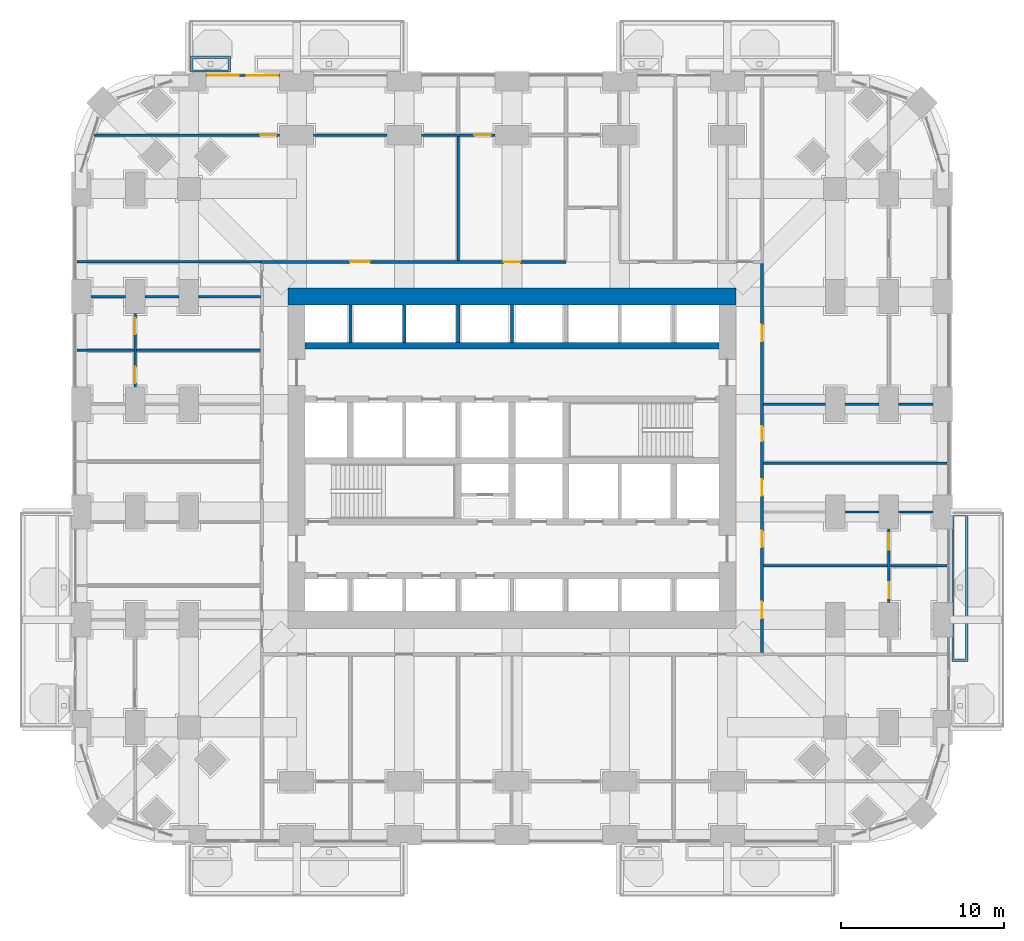
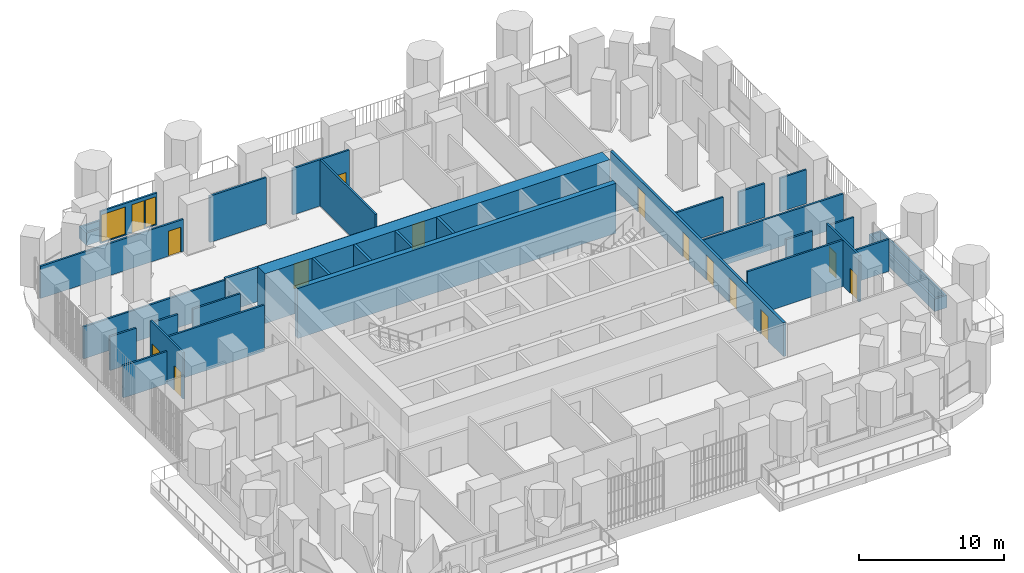
# One storey, part 21 of 27: 31 walls, 14 doors, 2 windows, 16 openings.
"""IFC4 building model written with IfcOpenShell, lengths in metres."""

from ifc_helpers import new_model, si_unit, direction, frame, frame_2d, origin, place, context, subcontext, project, spatial, polyline, rectangle, outline, extrude, material, layer, layer_set, type_object, element, fill, save


model = new_model("IFC4")

# Units and contexts
model_context = context("Model", 3, precision=1e-05, world=origin(), true_north=direction((0.0, 1.0)))
body_context = subcontext(model_context, "Body", "Model", "MODEL_VIEW")
ifc_project = project(units=[si_unit("LENGTHUNIT", "METRE"), si_unit("AREAUNIT", "SQUARE_METRE"), si_unit("VOLUMEUNIT", "CUBIC_METRE"), si_unit("PLANEANGLEUNIT", "RADIAN"), si_unit("MASSUNIT", "GRAM", prefix="KILO")], contexts=[model_context])

# Site, building, storey
site_placement = place(None, origin())
site = spatial("IfcSite", under=ifc_project, at=site_placement, CompositionType="ELEMENT")
building_placement = place(site_placement, origin())
building = spatial("IfcBuilding", under=site, at=building_placement, Name="Cobogo Forest Laboratory Tower", CompositionType="ELEMENT")
storey_placement = place(building_placement, frame((0.0, 0.0, 38.10009765625)))
storey = spatial("IfcBuildingStorey", under=building, at=storey_placement, Name="L08", CompositionType="ELEMENT", Elevation=38.10009765625)

# Walls
ifc_material_1 = material(Name="Concrete HA-50 (C50/60)", Category="concrete")
ifc_layer_1 = layer(ifc_material_1, 0.39990234375)
ifc_layer_set_1 = layer_set([ifc_layer_1], Name="CI400 core inner wall 400")
wall_type_1 = type_object("IfcWallType", Name="CI400 core inner wall 400", PredefinedType="SHEAR", material=ifc_layer_set_1)
wall_1_placement = place(storey_placement, frame((13.72509765625, 30.0, 0.0), z_axis=(0.0, 0.0, 1.0), x_axis=(1.0, 0.0, 0.0)))
element("IfcWall", 1, at=wall_1_placement, inside=storey, type_object=wall_type_1, Name="Core wall CI-30.0 L08", PredefinedType="SHEAR", context=body_context, shape_type="SweptSolid", body=[
    extrude(rectangle(XDim=25.349853515625, YDim=0.39990234375, at=frame_2d((12.6748046875, 0.0))), origin(), (0.0, 0.0, 1.0), 4.199951171875),
])
ifc_layer_2 = layer(ifc_material_1, 1.050048828125)
ifc_layer_set_2 = layer_set([ifc_layer_2], Name="CW1050 core outer wall 1050")
wall_type_2 = type_object("IfcWallType", Name="CW1050 core outer wall 1050", PredefinedType="SHEAR", material=ifc_layer_set_2)
wall_2_placement = place(storey_placement, frame((40.125, 33.0, 0.0), z_axis=(0.0, 0.0, 1.0), x_axis=(-1.0, 0.0, 0.0)))
element("IfcWall", 2, at=wall_2_placement, inside=storey, type_object=wall_type_2, Name="Core wall CO-N L08", PredefinedType="SHEAR", context=body_context, shape_type="SweptSolid", body=[
    extrude(rectangle(XDim=27.449951171875, YDim=1.050048828125, at=frame_2d((13.72509765625, 0.0))), origin(), (0.0, 0.0, 1.0), 4.199951171875),
])

# Wall, openings, door, windows
ifc_material_2 = material(Name="Aluminium framed glazed screen", Category="aluminium")
ifc_layer_3 = layer(ifc_material_2, 0.14990234375)
ifc_layer_set_3 = layer_set([ifc_layer_3], Name="GS1 glazed door screen 150")
wall_type_3 = type_object("IfcWallType", Name="GS1 glazed door screen 150", PredefinedType="SOLIDWALL", material=ifc_layer_set_3)
wall_3_placement = place(storey_placement, frame((12.14990234375, 46.550048828125, 0.0), z_axis=(0.0, 0.0, 1.0), x_axis=(-1.0, 0.0, 0.0)))
wall_3 = element("IfcWall", 3, at=wall_3_placement, inside=storey, type_object=wall_type_3, Name="Door screen BAL-N1 L08", PredefinedType="SOLIDWALL", context=body_context, shape_type="SweptSolid", body=[
    extrude(rectangle(XDim=4.5, YDim=0.14990234375, at=frame_2d((2.25, 0.0))), origin(), (0.0, 0.0, 1.0), 2.699951171875),
])
opening_1_placement = place(wall_3_placement, frame((1.0, 0.0, 0.0)))
opening_1 = element("IfcOpeningElement", 4, at=opening_1_placement, cuts=wall_3, Name="Opening L08-D52", PredefinedType="OPENING", context=body_context, shape_type="SweptSolid", body=[
    extrude(rectangle(XDim=1.0, YDim=2.39990234375, at=frame_2d((0.5, 1.199951171875))), frame((0.0, 0.0849609375, 0.0), z_axis=(0.0, -1.0, 0.0), x_axis=(1.0, 0.0, 0.0)), (0.0, 0.0, 1.0), 0.169921875),
])
opening_2_placement = place(wall_3_placement, frame((0.10009765625, 0.0, 0.10009765625)))
opening_2 = element("IfcOpeningElement", 5, at=opening_2_placement, cuts=wall_3, Name="Opening L08-W10", PredefinedType="OPENING", context=body_context, shape_type="SweptSolid", body=[
    extrude(rectangle(XDim=0.800048828125, YDim=2.300048828125, at=frame_2d((0.39990234375, 1.14990234375))), frame((0.0, 0.0849609375, 0.0), z_axis=(0.0, -1.0, 0.0), x_axis=(1.0, 0.0, 0.0)), (0.0, 0.0, 1.0), 0.169921875),
])
opening_3_placement = place(wall_3_placement, frame((2.5, 0.0, 0.10009765625)))
opening_3 = element("IfcOpeningElement", 6, at=opening_3_placement, cuts=wall_3, Name="Opening L08-W09", PredefinedType="OPENING", context=body_context, shape_type="SweptSolid", body=[
    extrude(rectangle(XDim=1.89990234375, YDim=2.300048828125, at=frame_2d((0.949951171875, 1.14990234375))), frame((0.0, 0.0849609375, 0.0), z_axis=(0.0, -1.0, 0.0), x_axis=(1.0, 0.0, 0.0)), (0.0, 0.0, 1.0), 0.169921875),
])
ifc_material_3 = material(Name="Aluminium glazed door", Category="aluminium")
door_type_1 = type_object("IfcDoorType", Name="DB1 balcony door 1000 glazed", OperationType="SINGLE_SWING_LEFT", PredefinedType="DOOR", material=ifc_material_3)
door_1_placement = place(opening_1_placement, origin())
door_1 = element("IfcDoor", 7, at=door_1_placement, inside=storey, type_object=door_type_1, Name="Door L08-BAL-N1", OperationType="SINGLE_SWING_LEFT", OverallHeight=2.39990234375, OverallWidth=1.0, PredefinedType="DOOR", context=body_context, shape_type="SweptSolid", body=[
    extrude(rectangle(XDim=1.0, YDim=2.39990234375, at=frame_2d((0.5, 1.199951171875))), frame((0.0, 0.02490234375, 0.0), z_axis=(0.0, -1.0, 0.0), x_axis=(1.0, 0.0, 0.0)), (0.0, 0.0, 1.0), 0.050048828125),
])
fill(opening_1, door_1)
ifc_material_4 = material(Name="Aluminium framed glazing", Category="aluminium")
window_type_1 = type_object("IfcWindowType", Name="WG3 fixed glazed light 1900x2300", PartitioningType="SINGLE_PANEL", PredefinedType="WINDOW", material=ifc_material_4)
window_1_placement = place(opening_3_placement, origin())
window_1 = element("IfcWindow", 8, at=window_1_placement, inside=storey, type_object=window_type_1, Name="Window L08-BAL-N1-2", OverallHeight=2.300048828125, OverallWidth=1.89990234375, PartitioningType="SINGLE_PANEL", PredefinedType="WINDOW", context=body_context, shape_type="SweptSolid", body=[
    extrude(rectangle(XDim=1.89990234375, YDim=2.300048828125, at=frame_2d((0.949951171875, 1.14990234375))), frame((0.0, 0.030029296875, 0.0), z_axis=(0.0, -1.0, 0.0), x_axis=(1.0, 0.0, 0.0)), (0.0, 0.0, 1.0), 0.06005859375),
])
fill(opening_3, window_1)
window_type_2 = type_object("IfcWindowType", Name="WG4 fixed glazed light 800x2300", PartitioningType="SINGLE_PANEL", PredefinedType="WINDOW", material=ifc_material_4)
window_2_placement = place(opening_2_placement, origin())
window_2 = element("IfcWindow", 9, at=window_2_placement, inside=storey, type_object=window_type_2, Name="Window L08-BAL-N1-1", OverallHeight=2.300048828125, OverallWidth=0.800048828125, PartitioningType="SINGLE_PANEL", PredefinedType="WINDOW", context=body_context, shape_type="SweptSolid", body=[
    extrude(rectangle(XDim=0.800048828125, YDim=2.300048828125, at=frame_2d((0.39990234375, 1.14990234375))), frame((0.0, 0.030029296875, 0.0), z_axis=(0.0, -1.0, 0.0), x_axis=(1.0, 0.0, 0.0)), (0.0, 0.0, 1.0), 0.06005859375),
])
fill(opening_2, window_2)

# Wall
ifc_material_5 = material(Name="Gypsum board on steel studs", Category="steel")
ifc_layer_4 = layer(ifc_material_5, 0.14990234375)
ifc_layer_set_4 = layer_set([ifc_layer_4], Name="PT1 laboratory partition 150")
wall_type_4 = type_object("IfcWallType", Name="PT1 laboratory partition 150", PredefinedType="PARTITIONING", material=ifc_layer_set_4)
wall_4_placement = place(storey_placement, frame((-0.27001953125, 35.125, 0.0), z_axis=(0.0, 0.0, 1.0), x_axis=(1.0, 0.0, 0.0)))
element("IfcWall", 10, at=wall_4_placement, inside=storey, type_object=wall_type_4, Name="Partition PW-NW L08", PredefinedType="PARTITIONING", context=body_context, shape_type="SweptSolid", body=[
    extrude(rectangle(XDim=11.2451171875, YDim=0.14990234375, at=frame_2d((5.62255859375, 0.0))), origin(), (0.0, 0.0, 1.0), 2.699951171875),
])

# Wall, openings, doors
wall_5_placement = place(storey_placement, frame((49.5, 14.25, 0.0), z_axis=(0.0, 0.0, 1.0), x_axis=(0.0, 1.0, 0.0)))
wall_5 = element("IfcWall", 11, at=wall_5_placement, inside=storey, type_object=wall_type_4, Name="Partition STRIP-E-2 L08", PredefinedType="PARTITIONING", context=body_context, shape_type="SweptSolid", body=[
    extrude(rectangle(XDim=4.5, YDim=0.14990234375, at=frame_2d((2.25, 0.0))), origin(), (0.0, 0.0, 1.0), 3.89990234375),
])
opening_4_placement = place(wall_5_placement, frame((0.25, 0.0, 0.0)))
opening_4 = element("IfcOpeningElement", 12, at=opening_4_placement, cuts=wall_5, Name="Opening L08-D19", PredefinedType="OPENING", context=body_context, shape_type="SweptSolid", body=[
    extrude(rectangle(XDim=1.0, YDim=2.10009765625, at=frame_2d((0.5, 1.050048828125))), frame((0.0, 0.0849609375, 0.0), z_axis=(0.0, -1.0, 0.0), x_axis=(1.0, 0.0, 0.0)), (0.0, 0.0, 1.0), 0.169921875),
])
opening_5_placement = place(wall_5_placement, frame((3.25, 0.0, 0.0)))
opening_5 = element("IfcOpeningElement", 13, at=opening_5_placement, cuts=wall_5, Name="Opening L08-D23", PredefinedType="OPENING", context=body_context, shape_type="SweptSolid", body=[
    extrude(rectangle(XDim=1.0, YDim=2.10009765625, at=frame_2d((0.5, 1.050048828125))), frame((0.0, 0.0849609375, 0.0), z_axis=(0.0, -1.0, 0.0), x_axis=(1.0, 0.0, 0.0)), (0.0, 0.0, 1.0), 0.169921875),
])
ifc_material_6 = material(Name="Timber fire door", Category="wood")
door_type_2 = type_object("IfcDoorType", Name="FD2 fire door 1000 EI2 30", OperationType="SINGLE_SWING_LEFT", PredefinedType="DOOR", material=ifc_material_6)
door_2_placement = place(opening_4_placement, origin())
door_2 = element("IfcDoor", 14, at=door_2_placement, inside=storey, type_object=door_type_2, Name="Door L08-E1W", OperationType="SINGLE_SWING_LEFT", OverallHeight=2.10009765625, OverallWidth=1.0, PredefinedType="DOOR", context=body_context, shape_type="SweptSolid", body=[
    extrude(rectangle(XDim=1.0, YDim=2.10009765625, at=frame_2d((0.5, 1.050048828125))), frame((0.0, 0.02490234375, 0.0), z_axis=(0.0, -1.0, 0.0), x_axis=(1.0, 0.0, 0.0)), (0.0, 0.0, 1.0), 0.050048828125),
])
fill(opening_4, door_2)
door_3_placement = place(opening_5_placement, origin())
door_3 = element("IfcDoor", 15, at=door_3_placement, inside=storey, type_object=door_type_2, Name="Door L08-E2W", OperationType="SINGLE_SWING_RIGHT", OverallHeight=2.10009765625, OverallWidth=1.0, PredefinedType="DOOR", context=body_context, shape_type="SweptSolid", body=[
    extrude(rectangle(XDim=1.0, YDim=2.10009765625, at=frame_2d((0.5, 1.050048828125))), frame((0.0, 0.02490234375, 0.0), z_axis=(0.0, -1.0, 0.0), x_axis=(1.0, 0.0, 0.0)), (0.0, 0.0, 1.0), 0.050048828125),
])
fill(opening_5, door_3)

# Walls
wall_6_placement = place(storey_placement, frame((53.070068359375, 22.800048828125, 0.0), z_axis=(0.0, 0.0, 1.0), x_axis=(-1.0, 0.0, 0.0)))
element("IfcWall", 16, at=wall_6_placement, inside=storey, type_object=wall_type_4, Name="Partition SVC-E1-1 L08", PredefinedType="PARTITIONING", context=body_context, shape_type="SweptSolid", body=[
    extrude(rectangle(XDim=11.2451171875, YDim=0.14990234375, at=frame_2d((5.62255859375, 0.0))), origin(), (0.0, 0.0, 1.0), 2.699951171875),
])
for number, where, z_axis, x_axis, name in (
    (17, (52.199951171875, 26.39990234375, 0.0), (0.0, 0.0, 1.0), (-1.0, 0.0, 0.0), "Partition SVC-E2-1 L08"),
    (18, (48.89990234375, 26.39990234375, 0.0), (0.0, 0.0, 1.0), (-1.0, 0.0, 0.0), "Partition SVC-E2-2 L08"),
):
    element("IfcWall", number, at=place(storey_placement, frame(where, z_axis=z_axis, x_axis=x_axis)), inside=storey, type_object=wall_type_4, Name=name, PredefinedType="PARTITIONING", context=body_context, shape_type="SweptSolid", body=[
        extrude(rectangle(XDim=2.099853515625, YDim=0.14990234375, at=frame_2d((1.0498046875, 0.0))), origin(), (0.0, 0.0, 1.0), 2.849853515625),
    ])
wall_7_placement = place(storey_placement, frame((45.60009765625, 26.39990234375, 0.0), z_axis=(0.0, 0.0, 1.0), x_axis=(-1.0, 0.0, 0.0)))
element("IfcWall", 19, at=wall_7_placement, inside=storey, type_object=wall_type_4, Name="Partition SVC-E2-3 L08", PredefinedType="PARTITIONING", context=body_context, shape_type="SweptSolid", body=[
    extrude(rectangle(XDim=3.775146484375, YDim=0.14990234375, at=frame_2d((1.8876953125, 0.0))), origin(), (0.0, 0.0, 1.0), 2.849853515625),
])
wall_8_placement = place(storey_placement, frame((53.070068359375, 16.5, 0.0), z_axis=(0.0, 0.0, 1.0), x_axis=(-1.0, 0.0, 0.0)))
element("IfcWall", 20, at=wall_8_placement, inside=storey, type_object=wall_type_4, Name="Partition CUT-E16.5a-1 L08", PredefinedType="PARTITIONING", context=body_context, shape_type="SweptSolid", body=[
    extrude(rectangle(XDim=3.4951171875, YDim=0.14990234375, at=frame_2d((1.74755859375, 0.0))), origin(), (0.0, 0.0, 1.0), 2.699951171875),
])
wall_9_placement = place(storey_placement, frame((49.425048828125, 16.5, 0.0), z_axis=(0.0, 0.0, 1.0), x_axis=(-1.0, 0.0, 0.0)))
element("IfcWall", 21, at=wall_9_placement, inside=storey, type_object=wall_type_4, Name="Partition CUT-E16.5b-1 L08", PredefinedType="PARTITIONING", context=body_context, shape_type="SweptSolid", body=[
    extrude(rectangle(XDim=7.60009765625, YDim=0.14990234375, at=frame_2d((3.800048828125, 0.0))), origin(), (0.0, 0.0, 1.0), 3.89990234375),
])
for number, where, z_axis, x_axis, name in (
    (22, (52.199951171875, 19.800048828125, 0.0), (0.0, 0.0, 1.0), (-1.0, 0.0, 0.0), "Partition CUT-E19.8-1 L08"),
    (23, (48.89990234375, 19.800048828125, 0.0), (0.0, 0.0, 1.0), (-1.0, 0.0, 0.0), "Partition CUT-E19.8-2 L08"),
):
    element("IfcWall", number, at=place(storey_placement, frame(where, z_axis=z_axis, x_axis=x_axis)), inside=storey, type_object=wall_type_4, Name=name, PredefinedType="PARTITIONING", context=body_context, shape_type="SweptSolid", body=[
        extrude(rectangle(XDim=2.099853515625, YDim=0.14990234375, at=frame_2d((1.0498046875, 0.0))), origin(), (0.0, 0.0, 1.0), 2.849853515625),
    ])

# Wall, opening, door
wall_10_placement = place(storey_placement, frame((25.35009765625, 42.89990234375, 0.0), z_axis=(0.0, 0.0, 1.0), x_axis=(-1.0, 0.0, 0.0)))
wall_10 = element("IfcWall", 24, at=wall_10_placement, inside=storey, type_object=wall_type_4, Name="Partition STRIP-N-2 L08", PredefinedType="PARTITIONING", context=body_context, shape_type="SweptSolid", body=[
    extrude(rectangle(XDim=4.5, YDim=0.14990234375, at=frame_2d((2.25, 0.0))), origin(), (0.0, 0.0, 1.0), 3.89990234375),
])
opening_6_placement = place(wall_10_placement, frame((0.25, 0.0, 0.0)))
opening_6 = element("IfcOpeningElement", 25, at=opening_6_placement, cuts=wall_10, Name="Opening L08-D50", PredefinedType="OPENING", context=body_context, shape_type="SweptSolid", body=[
    extrude(rectangle(XDim=1.0, YDim=2.10009765625, at=frame_2d((0.5, 1.050048828125))), frame((0.0, 0.0849609375, 0.0), z_axis=(0.0, -1.0, 0.0), x_axis=(1.0, 0.0, 0.0)), (0.0, 0.0, 1.0), 0.169921875),
])
door_4_placement = place(opening_6_placement, origin())
door_4 = element("IfcDoor", 26, at=door_4_placement, inside=storey, type_object=door_type_2, Name="Door L08-N2W", OperationType="SINGLE_SWING_LEFT", OverallHeight=2.10009765625, OverallWidth=1.0, PredefinedType="DOOR", context=body_context, shape_type="SweptSolid", body=[
    extrude(rectangle(XDim=1.0, YDim=2.10009765625, at=frame_2d((0.5, 1.050048828125))), frame((0.0, 0.02490234375, 0.0), z_axis=(0.0, -1.0, 0.0), x_axis=(1.0, 0.0, 0.0)), (0.0, 0.0, 1.0), 0.050048828125),
])
fill(opening_6, door_4)

# Wall
wall_11_placement = place(storey_placement, frame((18.75, 42.89990234375, 0.0), z_axis=(0.0, 0.0, 1.0), x_axis=(-1.0, 0.0, 0.0)))
element("IfcWall", 27, at=wall_11_placement, inside=storey, type_object=wall_type_4, Name="Partition STRIP-N-3 L08", PredefinedType="PARTITIONING", context=body_context, shape_type="SweptSolid", body=[
    extrude(rectangle(XDim=4.5, YDim=0.14990234375, at=frame_2d((2.25, 0.0))), origin(), (0.0, 0.0, 1.0), 3.89990234375),
])

# Wall, opening, door
wall_12_placement = place(storey_placement, frame((12.14990234375, 42.89990234375, 0.0), z_axis=(0.0, 0.0, 1.0), x_axis=(-1.0, 0.0, 0.0)))
wall_12 = element("IfcWall", 28, at=wall_12_placement, inside=storey, type_object=wall_type_4, Name="Partition STRIP-N-4 L08", PredefinedType="PARTITIONING", context=body_context, shape_type="SweptSolid", body=[
    extrude(rectangle(XDim=11.373779296875, YDim=0.14990234375, at=frame_2d((5.68701171875, 0.0))), origin(), (0.0, 0.0, 1.0), 2.699951171875),
])
opening_7_placement = place(wall_12_placement, frame((0.192138671875, 0.0, 0.0)))
opening_7 = element("IfcOpeningElement", 29, at=opening_7_placement, cuts=wall_12, Name="Opening L08-D49", PredefinedType="OPENING", context=body_context, shape_type="SweptSolid", body=[
    extrude(rectangle(XDim=1.0, YDim=2.10009765625, at=frame_2d((0.5, 1.050048828125))), frame((0.0, 0.0849609375, 0.0), z_axis=(0.0, -1.0, 0.0), x_axis=(1.0, 0.0, 0.0)), (0.0, 0.0, 1.0), 0.169921875),
])
door_5_placement = place(opening_7_placement, origin())
door_5 = element("IfcDoor", 30, at=door_5_placement, inside=storey, type_object=door_type_2, Name="Door L08-N1W", OperationType="SINGLE_SWING_LEFT", OverallHeight=2.10009765625, OverallWidth=1.0, PredefinedType="DOOR", context=body_context, shape_type="SweptSolid", body=[
    extrude(rectangle(XDim=1.0, YDim=2.10009765625, at=frame_2d((0.5, 1.050048828125))), frame((0.0, 0.02490234375, 0.0), z_axis=(0.0, -1.0, 0.0), x_axis=(1.0, 0.0, 0.0)), (0.0, 0.0, 1.0), 0.050048828125),
])
fill(opening_7, door_5)

# Wall
wall_13_placement = place(storey_placement, frame((23.10009765625, 42.824951171875, 0.0), z_axis=(0.0, 0.0, 1.0), x_axis=(0.0, -1.0, 0.0)))
element("IfcWall", 31, at=wall_13_placement, inside=storey, type_object=wall_type_4, Name="Partition CUT-N23.1b-1 L08", PredefinedType="PARTITIONING", context=body_context, shape_type="SweptSolid", body=[
    extrude(rectangle(XDim=7.599853515625, YDim=0.14990234375, at=frame_2d((3.7998046875, 0.0))), origin(), (0.0, 0.0, 1.0), 3.89990234375),
])

# Wall, openings, doors
wall_14_placement = place(storey_placement, frame((3.300048828125, 31.949951171875, 0.0), z_axis=(0.0, 0.0, 1.0), x_axis=(0.0, -1.0, 0.0)))
wall_14 = element("IfcWall", 32, at=wall_14_placement, inside=storey, type_object=wall_type_4, Name="Partition STRIP-W-1 L08", PredefinedType="PARTITIONING", context=body_context, shape_type="SweptSolid", body=[
    extrude(rectangle(XDim=4.5, YDim=0.14990234375, at=frame_2d((2.25, 0.0))), origin(), (0.0, 0.0, 1.0), 3.89990234375),
])
opening_8_placement = place(wall_14_placement, frame((3.25, 0.0, 0.0)))
opening_8 = element("IfcOpeningElement", 33, at=opening_8_placement, cuts=wall_14, Name="Opening L08-D35", PredefinedType="OPENING", context=body_context, shape_type="SweptSolid", body=[
    extrude(rectangle(XDim=1.0, YDim=2.10009765625, at=frame_2d((0.5, 1.050048828125))), frame((0.0, 0.0849609375, 0.0), z_axis=(0.0, -1.0, 0.0), x_axis=(1.0, 0.0, 0.0)), (0.0, 0.0, 1.0), 0.169921875),
])
opening_9_placement = place(wall_14_placement, frame((0.25, 0.0, 0.0)))
opening_9 = element("IfcOpeningElement", 34, at=opening_9_placement, cuts=wall_14, Name="Opening L08-D39", PredefinedType="OPENING", context=body_context, shape_type="SweptSolid", body=[
    extrude(rectangle(XDim=1.0, YDim=2.10009765625, at=frame_2d((0.5, 1.050048828125))), frame((0.0, 0.0849609375, 0.0), z_axis=(0.0, -1.0, 0.0), x_axis=(1.0, 0.0, 0.0)), (0.0, 0.0, 1.0), 0.169921875),
])
door_6_placement = place(opening_8_placement, origin())
door_6 = element("IfcDoor", 35, at=door_6_placement, inside=storey, type_object=door_type_2, Name="Door L08-W3W", OperationType="SINGLE_SWING_RIGHT", OverallHeight=2.10009765625, OverallWidth=1.0, PredefinedType="DOOR", context=body_context, shape_type="SweptSolid", body=[
    extrude(rectangle(XDim=1.0, YDim=2.10009765625, at=frame_2d((0.5, 1.050048828125))), frame((0.0, 0.02490234375, 0.0), z_axis=(0.0, -1.0, 0.0), x_axis=(1.0, 0.0, 0.0)), (0.0, 0.0, 1.0), 0.050048828125),
])
fill(opening_8, door_6)
door_7_placement = place(opening_9_placement, origin())
door_7 = element("IfcDoor", 36, at=door_7_placement, inside=storey, type_object=door_type_2, Name="Door L08-W4W", OperationType="SINGLE_SWING_LEFT", OverallHeight=2.10009765625, OverallWidth=1.0, PredefinedType="DOOR", context=body_context, shape_type="SweptSolid", body=[
    extrude(rectangle(XDim=1.0, YDim=2.10009765625, at=frame_2d((0.5, 1.050048828125))), frame((0.0, 0.02490234375, 0.0), z_axis=(0.0, -1.0, 0.0), x_axis=(1.0, 0.0, 0.0)), (0.0, 0.0, 1.0), 0.050048828125),
])
fill(opening_9, door_7)

# Walls
wall_15_placement = place(storey_placement, frame((-0.27001953125, 29.699951171875, 0.0), z_axis=(0.0, 0.0, 1.0), x_axis=(1.0, 0.0, 0.0)))
element("IfcWall", 37, at=wall_15_placement, inside=storey, type_object=wall_type_4, Name="Partition CUT-W29.7a-1 L08", PredefinedType="PARTITIONING", context=body_context, shape_type="SweptSolid", body=[
    extrude(rectangle(XDim=3.4951171875, YDim=0.14990234375, at=frame_2d((1.74755859375, 0.0))), origin(), (0.0, 0.0, 1.0), 2.699951171875),
])
wall_16_placement = place(storey_placement, frame((3.375, 29.699951171875, 0.0), z_axis=(0.0, 0.0, 1.0), x_axis=(1.0, 0.0, 0.0)))
element("IfcWall", 38, at=wall_16_placement, inside=storey, type_object=wall_type_4, Name="Partition CUT-W29.7b-1 L08", PredefinedType="PARTITIONING", context=body_context, shape_type="SweptSolid", body=[
    extrude(rectangle(XDim=7.60009765625, YDim=0.14990234375, at=frame_2d((3.800048828125, 0.0))), origin(), (0.0, 0.0, 1.0), 3.89990234375),
])
wall_17_placement = place(storey_placement, frame((0.60009765625, 33.0, 0.0), z_axis=(0.0, 0.0, 1.0), x_axis=(1.0, 0.0, 0.0)))
element("IfcWall", 39, at=wall_17_placement, inside=storey, type_object=wall_type_4, Name="Partition CUT-W33-1 L08", PredefinedType="PARTITIONING", context=body_context, shape_type="SweptSolid", body=[
    extrude(rectangle(XDim=2.099853515625, YDim=0.14990234375, at=frame_2d((1.0498046875, 0.0))), origin(), (0.0, 0.0, 1.0), 2.849853515625),
])
wall_18_placement = place(storey_placement, frame((3.89990234375, 33.0, 0.0), z_axis=(0.0, 0.0, 1.0), x_axis=(1.0, 0.0, 0.0)))
element("IfcWall", 40, at=wall_18_placement, inside=storey, type_object=wall_type_4, Name="Partition CUT-W33-2 L08", PredefinedType="PARTITIONING", context=body_context, shape_type="SweptSolid", body=[
    extrude(rectangle(XDim=2.10009765625, YDim=0.14990234375, at=frame_2d((1.050048828125, 0.0))), origin(), (0.0, 0.0, 1.0), 2.849853515625),
])
wall_19_placement = place(storey_placement, frame((7.199951171875, 33.0, 0.0), z_axis=(0.0, 0.0, 1.0), x_axis=(1.0, 0.0, 0.0)))
element("IfcWall", 41, at=wall_19_placement, inside=storey, type_object=wall_type_4, Name="Partition CUT-W33-3 L08", PredefinedType="PARTITIONING", context=body_context, shape_type="SweptSolid", body=[
    extrude(rectangle(XDim=3.775146484375, YDim=0.14990234375, at=frame_2d((1.8876953125, 0.0))), origin(), (0.0, 0.0, 1.0), 2.849853515625),
])

# Wall, openings, doors
ifc_layer_5 = layer(ifc_material_5, 0.199951171875)
ifc_layer_set_5 = layer_set([ifc_layer_5], Name="PT2 fire-rated corridor partition 200")
wall_type_5 = type_object("IfcWallType", Name="PT2 fire-rated corridor partition 200", PredefinedType="PARTITIONING", material=ifc_layer_set_5)
wall_20_placement = place(storey_placement, frame((10.97509765625, 35.125, 0.0), z_axis=(0.0, 0.0, 1.0), x_axis=(1.0, 0.0, 0.0)))
wall_20 = element("IfcWall", 42, at=wall_20_placement, inside=storey, type_object=wall_type_5, Name="Partition CORR-N-1 L08", PredefinedType="PARTITIONING", context=body_context, shape_type="SweptSolid", body=[
    extrude(rectangle(XDim=18.724853515625, YDim=0.199951171875, at=frame_2d((9.3623046875, 0.0))), origin(), (0.0, 0.0, 1.0), 2.849853515625),
])
opening_10_placement = place(wall_20_placement, frame((5.512451171875, 0.0, 0.0)))
opening_10 = element("IfcOpeningElement", 43, at=opening_10_placement, cuts=wall_20, Name="Opening L08-D42", PredefinedType="OPENING", context=body_context, shape_type="SweptSolid", body=[
    extrude(rectangle(XDim=1.199951171875, YDim=2.10009765625, at=frame_2d((0.60009765625, 1.050048828125))), frame((0.0, 0.10986328125, 0.0), z_axis=(0.0, -1.0, 0.0), x_axis=(1.0, 0.0, 0.0)), (0.0, 0.0, 1.0), 0.219970703125),
])
opening_11_placement = place(wall_20_placement, frame((14.925048828125, 0.0, 0.0)))
opening_11 = element("IfcOpeningElement", 44, at=opening_11_placement, cuts=wall_20, Name="Opening L08-D43", PredefinedType="OPENING", context=body_context, shape_type="SweptSolid", body=[
    extrude(rectangle(XDim=1.0, YDim=2.10009765625, at=frame_2d((0.5, 1.050048828125))), frame((0.0, 0.10986328125, 0.0), z_axis=(0.0, -1.0, 0.0), x_axis=(1.0, 0.0, 0.0)), (0.0, 0.0, 1.0), 0.219970703125),
])
ifc_material_7 = material(Name="Timber door", Category="wood")
door_type_3 = type_object("IfcDoorType", Name="D2 laboratory door 1200 unequal pair", OperationType="DOUBLE_DOOR_SINGLE_SWING", PredefinedType="DOOR", material=ifc_material_7)
door_8_placement = place(opening_10_placement, origin())
door_8 = element("IfcDoor", 45, at=door_8_placement, inside=storey, type_object=door_type_3, Name="Door L08-N1", OperationType="DOUBLE_DOOR_SINGLE_SWING", OverallHeight=2.10009765625, OverallWidth=1.199951171875, PredefinedType="DOOR", context=body_context, shape_type="SweptSolid", body=[
    extrude(rectangle(XDim=1.199951171875, YDim=2.10009765625, at=frame_2d((0.60009765625, 1.050048828125))), frame((0.0, 0.02490234375, 0.0), z_axis=(0.0, -1.0, 0.0), x_axis=(1.0, 0.0, 0.0)), (0.0, 0.0, 1.0), 0.050048828125),
])
fill(opening_10, door_8)
door_9_placement = place(opening_11_placement, origin())
door_9 = element("IfcDoor", 46, at=door_9_placement, inside=storey, type_object=door_type_2, Name="Door L08-N2", OperationType="SINGLE_SWING_RIGHT", OverallHeight=2.10009765625, OverallWidth=1.0, PredefinedType="DOOR", context=body_context, shape_type="SweptSolid", body=[
    extrude(rectangle(XDim=1.0, YDim=2.10009765625, at=frame_2d((0.5, 1.050048828125))), frame((0.0, 0.02490234375, 0.0), z_axis=(0.0, -1.0, 0.0), x_axis=(1.0, 0.0, 0.0)), (0.0, 0.0, 1.0), 0.050048828125),
])
fill(opening_11, door_9)

wall_21_placement = place(storey_placement, frame((41.72509765625, 11.175048828125, 0.0), z_axis=(0.0, 0.0, 1.0), x_axis=(0.0, 1.0, 0.0)))
wall_21 = element("IfcWall", 47, at=wall_21_placement, inside=storey, type_object=wall_type_5, Name="Partition CORR-E L08", PredefinedType="PARTITIONING", context=body_context, shape_type="SweptSolid", body=[
    extrude(rectangle(XDim=23.849853515625, YDim=0.199951171875, at=frame_2d((11.9248046875, 0.0))), origin(), (0.0, 0.0, 1.0), 2.849853515625),
])
opening_12_placement = place(wall_21_placement, frame((2.112548828125, 0.0, 0.0)))
opening_12 = element("IfcOpeningElement", 48, at=opening_12_placement, cuts=wall_21, Name="Opening L08-D17", PredefinedType="OPENING", context=body_context, shape_type="SweptSolid", body=[
    extrude(rectangle(XDim=1.0, YDim=2.10009765625, at=frame_2d((0.5, 1.050048828125))), frame((0.0, 0.10986328125, 0.0), z_axis=(0.0, -1.0, 0.0), x_axis=(1.0, 0.0, 0.0)), (0.0, 0.0, 1.0), 0.219970703125),
])
opening_13_placement = place(wall_21_placement, frame((6.47509765625, 0.0, 0.0)))
opening_13 = element("IfcOpeningElement", 49, at=opening_13_placement, cuts=wall_21, Name="Opening L08-D24", PredefinedType="OPENING", context=body_context, shape_type="SweptSolid", body=[
    extrude(rectangle(XDim=1.0, YDim=2.10009765625, at=frame_2d((0.5, 1.050048828125))), frame((0.0, 0.10986328125, 0.0), z_axis=(0.0, -1.0, 0.0), x_axis=(1.0, 0.0, 0.0)), (0.0, 0.0, 1.0), 0.219970703125),
])
opening_14_placement = place(wall_21_placement, frame((9.625, 0.0, 0.0)))
opening_14 = element("IfcOpeningElement", 50, at=opening_14_placement, cuts=wall_21, Name="Opening L08-D30", PredefinedType="OPENING", context=body_context, shape_type="SweptSolid", body=[
    extrude(rectangle(XDim=1.0, YDim=2.10009765625, at=frame_2d((0.5, 1.050048828125))), frame((0.0, 0.10986328125, 0.0), z_axis=(0.0, -1.0, 0.0), x_axis=(1.0, 0.0, 0.0)), (0.0, 0.0, 1.0), 0.219970703125),
])
opening_15_placement = place(wall_21_placement, frame((12.97509765625, 0.0, 0.0)))
opening_15 = element("IfcOpeningElement", 51, at=opening_15_placement, cuts=wall_21, Name="Opening L08-D31", PredefinedType="OPENING", context=body_context, shape_type="SweptSolid", body=[
    extrude(rectangle(XDim=0.89990234375, YDim=2.10009765625, at=frame_2d((0.449951171875, 1.050048828125))), frame((0.0, 0.10986328125, 0.0), z_axis=(0.0, -1.0, 0.0), x_axis=(1.0, 0.0, 0.0)), (0.0, 0.0, 1.0), 0.219970703125),
])
opening_16_placement = place(wall_21_placement, frame((19.08740234375, 0.0, 0.0)))
opening_16 = element("IfcOpeningElement", 52, at=opening_16_placement, cuts=wall_21, Name="Opening L08-D38", PredefinedType="OPENING", context=body_context, shape_type="SweptSolid", body=[
    extrude(rectangle(XDim=1.0, YDim=2.10009765625, at=frame_2d((0.5, 1.050048828125))), frame((0.0, 0.10986328125, 0.0), z_axis=(0.0, -1.0, 0.0), x_axis=(1.0, 0.0, 0.0)), (0.0, 0.0, 1.0), 0.219970703125),
])
ifc_material_8 = material(Name="Steel fire door", Category="steel")
door_type_4 = type_object("IfcDoorType", Name="FD1 fire door 1000 EI2 60", OperationType="SINGLE_SWING_LEFT", PredefinedType="DOOR", material=ifc_material_8)
door_10_placement = place(opening_12_placement, origin())
door_10 = element("IfcDoor", 53, at=door_10_placement, inside=storey, type_object=door_type_4, Name="Door L08-E1", OperationType="SINGLE_SWING_LEFT", OverallHeight=2.10009765625, OverallWidth=1.0, PredefinedType="DOOR", context=body_context, shape_type="SweptSolid", body=[
    extrude(rectangle(XDim=1.0, YDim=2.10009765625, at=frame_2d((0.5, 1.050048828125))), frame((0.0, 0.02490234375, 0.0), z_axis=(0.0, -1.0, 0.0), x_axis=(1.0, 0.0, 0.0)), (0.0, 0.0, 1.0), 0.050048828125),
])
fill(opening_12, door_10)
door_11_placement = place(opening_14_placement, origin())
door_11 = element("IfcDoor", 54, at=door_11_placement, inside=storey, type_object=door_type_4, Name="Door L08-ELEC", OperationType="SINGLE_SWING_LEFT", OverallHeight=2.10009765625, OverallWidth=1.0, PredefinedType="DOOR", context=body_context, shape_type="SweptSolid", body=[
    extrude(rectangle(XDim=1.0, YDim=2.10009765625, at=frame_2d((0.5, 1.050048828125))), frame((0.0, 0.02490234375, 0.0), z_axis=(0.0, -1.0, 0.0), x_axis=(1.0, 0.0, 0.0)), (0.0, 0.0, 1.0), 0.050048828125),
])
fill(opening_14, door_11)
door_12_placement = place(opening_13_placement, origin())
door_12 = element("IfcDoor", 55, at=door_12_placement, inside=storey, type_object=door_type_2, Name="Door L08-E2", OperationType="SINGLE_SWING_LEFT", OverallHeight=2.10009765625, OverallWidth=1.0, PredefinedType="DOOR", context=body_context, shape_type="SweptSolid", body=[
    extrude(rectangle(XDim=1.0, YDim=2.10009765625, at=frame_2d((0.5, 1.050048828125))), frame((0.0, 0.02490234375, 0.0), z_axis=(0.0, -1.0, 0.0), x_axis=(1.0, 0.0, 0.0)), (0.0, 0.0, 1.0), 0.050048828125),
])
fill(opening_13, door_12)
door_13_placement = place(opening_16_placement, origin())
door_13 = element("IfcDoor", 56, at=door_13_placement, inside=storey, type_object=door_type_2, Name="Door L08-E3", OperationType="SINGLE_SWING_RIGHT", OverallHeight=2.10009765625, OverallWidth=1.0, PredefinedType="DOOR", context=body_context, shape_type="SweptSolid", body=[
    extrude(rectangle(XDim=1.0, YDim=2.10009765625, at=frame_2d((0.5, 1.050048828125))), frame((0.0, 0.02490234375, 0.0), z_axis=(0.0, -1.0, 0.0), x_axis=(1.0, 0.0, 0.0)), (0.0, 0.0, 1.0), 0.050048828125),
])
fill(opening_16, door_13)
door_type_5 = type_object("IfcDoorType", Name="FD4 riser access door 900 EI2 60", OperationType="SINGLE_SWING_LEFT", PredefinedType="DOOR", material=ifc_material_8)
door_14_placement = place(opening_15_placement, origin())
door_14 = element("IfcDoor", 57, at=door_14_placement, inside=storey, type_object=door_type_5, Name="Door L08-COMMS", OperationType="SINGLE_SWING_RIGHT", OverallHeight=2.10009765625, OverallWidth=0.89990234375, PredefinedType="DOOR", context=body_context, shape_type="SweptSolid", body=[
    extrude(rectangle(XDim=0.89990234375, YDim=2.10009765625, at=frame_2d((0.449951171875, 1.050048828125))), frame((0.0, 0.02490234375, 0.0), z_axis=(0.0, -1.0, 0.0), x_axis=(1.0, 0.0, 0.0)), (0.0, 0.0, 1.0), 0.050048828125),
])
fill(opening_15, door_14)

# Walls
ifc_material_9 = material(Name="Concrete HA-40 (C40/50)", Category="concrete")
ifc_layer_6 = layer(ifc_material_9, 0.14990234375)
ifc_layer_set_6 = layer_set([ifc_layer_6], Name="Planter box 1000x1050")
wall_type_6 = type_object("IfcWallType", Name="Planter box 1000x1050", PredefinedType="USERDEFINED", material=ifc_layer_set_6)
wall_22_placement = place(storey_placement, origin())
element("IfcWall", 58, at=wall_22_placement, inside=storey, type_object=wall_type_6, Name="Planter BAL-E1-2 L08", ObjectType="PLANTER", PredefinedType="USERDEFINED", context=body_context, shape_type="SweptSolid", body=[
    extrude(outline(polyline([(53.35009765625, 10.64990234375), (54.35009765625, 10.64990234375), (54.35009765625, 19.699951171875), (53.35009765625, 19.699951171875), (53.35009765625, 10.64990234375)]), holes=[polyline([(53.5, 10.800048828125), (54.199951171875, 10.800048828125), (54.199951171875, 19.550048828125), (53.5, 19.550048828125), (53.5, 10.800048828125)])]), origin(), (0.0, 0.0, 1.0), 1.0498046875),
])
wall_23_placement = place(storey_placement, origin())
element("IfcWall", 59, at=wall_23_placement, inside=storey, type_object=wall_type_6, Name="Planter BAL-N1-1 L08", ObjectType="PLANTER", PredefinedType="USERDEFINED", context=body_context, shape_type="SweptSolid", body=[
    extrude(outline(polyline([(6.699951171875, 46.75), (9.14990234375, 46.75), (9.14990234375, 47.75), (6.699951171875, 47.75), (6.699951171875, 46.75)]), holes=[polyline([(6.85009765625, 46.89990234375), (9.0, 46.89990234375), (9.0, 47.60009765625), (6.85009765625, 47.60009765625), (6.85009765625, 46.89990234375)])]), origin(), (0.0, 0.0, 1.0), 1.0498046875),
])
ifc_material_10 = material(Name="Concrete block", Category="concrete")
ifc_layer_7 = layer(ifc_material_10, 0.199951171875)
ifc_layer_set_7 = layer_set([ifc_layer_7], Name="SW200 lift shaft separator 200")
wall_type_7 = type_object("IfcWallType", Name="SW200 lift shaft separator 200", PredefinedType="PARTITIONING", material=ifc_layer_set_7)
for number, where, z_axis, x_axis, name in (
    (60, (16.5, 30.199951171875, 0.0), (0.0, 0.0, 1.0), (0.0, 1.0, 0.0), "Core wall SEP-N1 L08"),
    (61, (19.800048828125, 30.199951171875, 0.0), (0.0, 0.0, 1.0), (0.0, 1.0, 0.0), "Core wall SEP-N2 L08"),
    (62, (23.10009765625, 30.199951171875, 0.0), (0.0, 0.0, 1.0), (0.0, 1.0, 0.0), "Core wall SEP-N3 L08"),
    (63, (26.39990234375, 30.199951171875, 0.0), (0.0, 0.0, 1.0), (0.0, 1.0, 0.0), "Core wall SEP-N4 L08"),
):
    element("IfcWall", number, at=place(storey_placement, frame(where, z_axis=z_axis, x_axis=x_axis)), inside=storey, type_object=wall_type_7, Name=name, PredefinedType="PARTITIONING", context=body_context, shape_type="SweptSolid", body=[
        extrude(rectangle(XDim=2.275146484375, YDim=0.199951171875, at=frame_2d((1.1376953125, 0.0))), origin(), (0.0, 0.0, 1.0), 4.199951171875),
    ])

save(model, "model.ifc")
